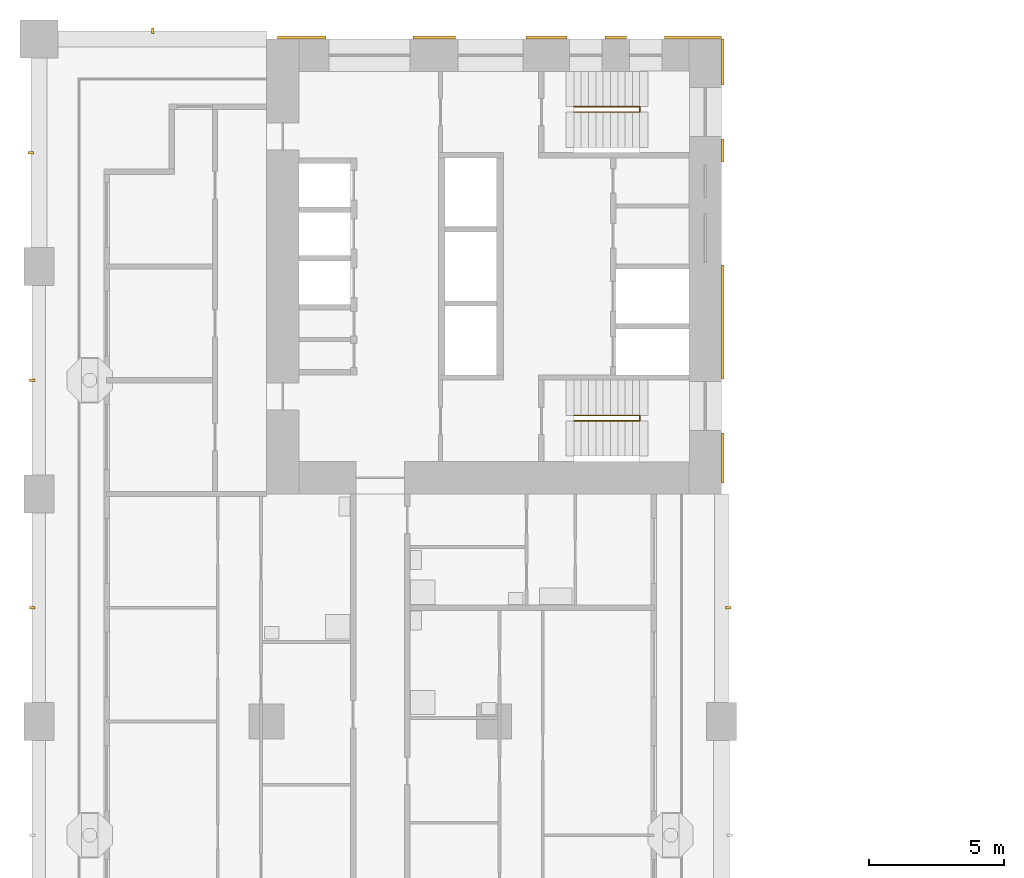
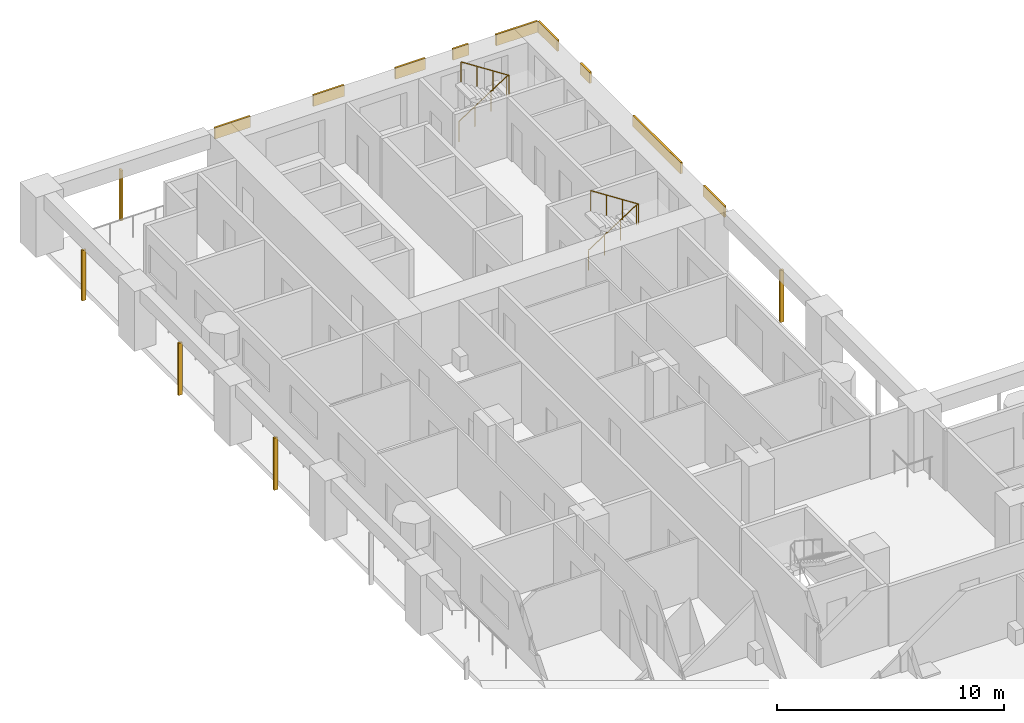
# One storey, part 15 of 20: 14 shading devices, 2 railings.
"""IFC4 building model written with IfcOpenShell, lengths in metres."""

import ifcopenshell
import ifcopenshell.guid

model = None  # the IFC model being written
_history = None  # IfcOwnerHistory: only IFC2X3 demands one
_inside = {}  # id of a spatial element -> (the spatial element, [elements in it])
_under = {}  # id of a project, library or spatial element -> (it, [spatial elements below it])
_declared = {}  # id of a project -> (the project, [libraries it declares])
_typed = {}  # id of a type object -> (the type object, [elements of that type])
_made_of = {}  # id of a material, layer set ... -> (it, [elements and type objects made of it])


def new_model(schema):
    """Start an empty IFC model of exactly this schema.

    Asked for "IFC4X3", IfcOpenShell would pick the latest addendum, in which some entities
    have other attributes; the version numbers below select the first issue.
    IFC2X3 requires an IfcOwnerHistory on every rooted entity: one is made here for all.
    """
    global model, _history
    if schema == "IFC4X3":
        model = ifcopenshell.file(schema_version=(4, 3, 0, 0))
    else:
        model = ifcopenshell.file(schema=schema)
    _inside.clear()
    _under.clear()
    _declared.clear()
    _typed.clear()
    _made_of.clear()
    _history = None
    if model.schema == "IFC2X3":
        org = make("IfcOrganization", Name="unknown")
        user = make(
            "IfcPersonAndOrganization",
            ThePerson=make("IfcPerson", FamilyName="unknown"),
            TheOrganization=org,
        )
        app = make(
            "IfcApplication",
            ApplicationDeveloper=org,
            Version="unknown",
            ApplicationFullName="unknown",
            ApplicationIdentifier="unknown",
        )
        _history = make(
            "IfcOwnerHistory",
            OwningUser=user,
            OwningApplication=app,
            ChangeAction="ADDED",
            CreationDate=0,
        )
    return model


def make(cls, **values):
    """One entity of the class cls with the attributes given. An attribute that is None is left unset."""
    return model.create_entity(
        cls, **{name: value for name, value in values.items() if value is not None}
    )


def rooted(cls, **values):
    """An entity with a GlobalId (a new one), such as an element, a storey or a relation."""
    return make(cls, GlobalId=ifcopenshell.guid.new(), OwnerHistory=_history, **values)


def si_unit(unit_type, name, prefix=None):
    """IfcSIUnit, for example si_unit("LENGTHUNIT", "METRE", prefix="MILLI")."""
    return make("IfcSIUnit", UnitType=unit_type, Prefix=prefix, Name=name)


def assignment(units):
    """IfcUnitAssignment: the units of a project."""
    return None if units is None else make("IfcUnitAssignment", Units=units)


def point(xyz):
    """IfcCartesianPoint."""
    return None if xyz is None else make("IfcCartesianPoint", Coordinates=xyz)


def direction(xyz):
    """IfcDirection."""
    return None if xyz is None else make("IfcDirection", DirectionRatios=xyz)


def frame(location, z_axis=None, x_axis=None):
    """IfcAxis2Placement3D, a coordinate frame: its origin and axes. An axis left out is left unset."""
    return make(
        "IfcAxis2Placement3D",
        Location=point(location),
        Axis=direction(z_axis),
        RefDirection=direction(x_axis),
    )


def frame_2d(location, x_axis=None):
    """IfcAxis2Placement2D, a coordinate frame in the plane: its origin and x axis."""
    return make(
        "IfcAxis2Placement2D", Location=point(location), RefDirection=direction(x_axis)
    )


def origin():
    """The frame at (0, 0, 0) with its axes left unset."""
    return frame((0.0, 0.0, 0.0))


def origin_2d():
    """The frame at (0, 0) in the plane with its x axis left unset."""
    return frame_2d((0.0, 0.0))


def place(relative_to, where):
    """IfcLocalPlacement: puts the frame where relative to a parent placement (None: the world)."""
    return make(
        "IfcLocalPlacement", PlacementRelTo=relative_to, RelativePlacement=where
    )


def context(
    kind, dimensions, precision=None, world=None, true_north=None, identifier=None
):
    """IfcGeometricRepresentationContext, for example the 3D "Model" context."""
    return make(
        "IfcGeometricRepresentationContext",
        ContextIdentifier=identifier,
        ContextType=kind,
        CoordinateSpaceDimension=dimensions,
        Precision=precision,
        WorldCoordinateSystem=world,
        TrueNorth=true_north,
    )


def subcontext(parent, identifier, kind, view, scale=None):
    """IfcGeometricRepresentationSubContext, for example "Body" below "Model"."""
    return make(
        "IfcGeometricRepresentationSubContext",
        ContextIdentifier=identifier,
        ContextType=kind,
        ParentContext=parent,
        TargetScale=scale,
        TargetView=view,
    )


def project(units=None, contexts=None):
    """IfcProject with its units and contexts."""
    return rooted(
        "IfcProject",
        Name="project",
        RepresentationContexts=contexts,
        UnitsInContext=assignment(units),
    )


def spatial(cls, under=None, at=None, **own):
    """A site, building, storey or space (cls), placed at a placement, below another one or the project."""
    s = rooted(cls, ObjectPlacement=at, **own)
    if under is not None:
        _under.setdefault(under.id(), (under, []))[1].append(s)
    return s


def profile(cls, at=None, kind="AREA", **sizes):
    """A parametric profile (cls). Its sizes go by their IFC names, for example OverallWidth=200.0."""
    return make(cls, ProfileType=kind, Position=at, **sizes)


def rectangle(**sizes):
    """IfcRectangleProfileDef."""
    return profile("IfcRectangleProfileDef", **sizes)


def circle(**sizes):
    """IfcCircleProfileDef."""
    return profile("IfcCircleProfileDef", **sizes)


def extrude(swept, where, along, depth):
    """IfcExtrudedAreaSolid: the profile swept, set in the frame where, extruded along a direction by depth."""
    return make(
        "IfcExtrudedAreaSolid",
        SweptArea=swept,
        Position=where,
        ExtrudedDirection=direction(along),
        Depth=depth,
    )


def shape(context_of_items, identifier, shape_type, items):
    """IfcShapeRepresentation: the items that make up one representation, for example the "Body"."""
    return make(
        "IfcShapeRepresentation",
        ContextOfItems=context_of_items,
        RepresentationIdentifier=identifier,
        RepresentationType=shape_type,
        Items=items,
    )


def material(Name=None, Category=None):
    """IfcMaterial."""
    return make("IfcMaterial", Name=Name, Category=Category)


def layer(
    of_material, thickness, ventilated=None, Name=None, Category=None, Priority=None
):
    """IfcMaterialLayer: one layer of a wall or slab, of a material (None: an air gap)."""
    return make(
        "IfcMaterialLayer",
        Material=of_material,
        LayerThickness=thickness,
        IsVentilated=ventilated,
        Name=Name,
        Category=Category,
        Priority=Priority,
    )


def layer_set(layers, Name=None):
    """IfcMaterialLayerSet."""
    return make("IfcMaterialLayerSet", MaterialLayers=layers, LayerSetName=Name)


def material_profile(
    of_material, cross_section, Name=None, Category=None, Priority=None
):
    """IfcMaterialProfile: a cross section and its material."""
    return make(
        "IfcMaterialProfile",
        Name=Name,
        Material=of_material,
        Profile=cross_section,
        Priority=Priority,
        Category=Category,
    )


def profile_set(profiles, Name=None, composite=None):
    """IfcMaterialProfileSet."""
    return make(
        "IfcMaterialProfileSet",
        Name=Name,
        MaterialProfiles=profiles,
        CompositeProfile=composite,
    )


def made_of(thing, what):
    """Note that an element or type object is made of a material, layer set ...; save() writes the relation."""
    if what is not None:
        _made_of.setdefault(what.id(), (what, []))[1].append(thing)
    return thing


def type_object(cls, material=None, **own):
    """A type object (cls), such as IfcWallType, which elements share."""
    return made_of(rooted(cls, **own), material)


def element(
    cls,
    number,
    at=None,
    inside=None,
    cuts=None,
    type_object=None,
    material=None,
    context=None,
    identifier="Body",
    shape_type=None,
    held_by="IfcProductDefinitionShape",
    body=None,
    shapes=None,
    **own,
):
    """One element of the class cls, such as IfcWall. Its Tag is "e" and its number.

    at: its placement. inside: the storey or other place that contains it. cuts: it is an
    opening in that element (IfcRelVoidsElement). A single representation is given by context,
    identifier, shape_type and body (its items); several are given by shapes. held_by: the class
    of the entity that holds the representations. save() writes the other relations.
    """
    e = rooted(cls, Tag="e%d" % number, ObjectPlacement=at, **own)
    if body is not None:
        shapes = [shape(context, identifier, shape_type, body)]
    if shapes is not None:
        e.Representation = make(held_by, Representations=shapes)
    if inside is not None:
        _inside.setdefault(inside.id(), (inside, []))[1].append(e)
    if cuts is not None:
        rooted(
            "IfcRelVoidsElement", RelatingBuildingElement=cuts, RelatedOpeningElement=e
        )
    if type_object is not None:
        _typed.setdefault(type_object.id(), (type_object, []))[1].append(e)
    return made_of(e, material)


def aggregate(whole, parts):
    """IfcRelAggregates: a whole, such as a stair, and the parts it consists of."""
    return rooted("IfcRelAggregates", RelatingObject=whole, RelatedObjects=parts)


def save(model, path):
    """Write the relations noted so far, then the file.

    IfcRelAggregates (storeys below a building ...), IfcRelContainedInSpatialStructure (elements
    in a storey), IfcRelDefinesByType, IfcRelAssociatesMaterial and IfcRelDeclares: one each for
    every whole, place, type object, material and project.
    """
    for whole, parts in _under.values():
        aggregate(whole, parts)
    for where, things in _inside.values():
        rooted(
            "IfcRelContainedInSpatialStructure",
            RelatedElements=things,
            RelatingStructure=where,
        )
    for kind, things in _typed.values():
        rooted("IfcRelDefinesByType", RelatedObjects=things, RelatingType=kind)
    for what, things in _made_of.values():
        rooted("IfcRelAssociatesMaterial", RelatedObjects=things, RelatingMaterial=what)
    for by, libraries in _declared.values():
        rooted("IfcRelDeclares", RelatingContext=by, RelatedDefinitions=libraries)
    model.write(path)


model = new_model("IFC4")

# Units and contexts
model_context = context("Model", 3, precision=1e-05, world=origin(), true_north=direction((0.0, 1.0)))
body_context = subcontext(model_context, "Body", "Model", "MODEL_VIEW")
ifc_project = project(units=[si_unit("LENGTHUNIT", "METRE"), si_unit("AREAUNIT", "SQUARE_METRE"), si_unit("VOLUMEUNIT", "CUBIC_METRE"), si_unit("PLANEANGLEUNIT", "RADIAN"), si_unit("MASSUNIT", "GRAM", prefix="KILO")], contexts=[model_context])

# Site, building, storey
site_placement = place(None, origin())
site = spatial("IfcSite", under=ifc_project, at=site_placement, CompositionType="ELEMENT")
building_placement = place(site_placement, origin())
building = spatial("IfcBuilding", under=site, at=building_placement, Name="Vermilion Gate Residences", CompositionType="ELEMENT")
storey_placement = place(building_placement, frame((0.0, 0.0, 39.199951171875)))
storey = spatial("IfcBuildingStorey", under=building, at=storey_placement, Name="L08", CompositionType="ELEMENT", Elevation=39.199951171875)

# Railings
ifc_material_1 = material(Name="Steel S355", Category="steel")
railing_type = type_object("IfcRailingType", Name="STAIR GUARD 1100 STEEL", PredefinedType="GUARDRAIL", material=ifc_material_1)
for number, where, name in (
    (1, (19.75, 56.300048828125, 0.175048828125), "Stair well guard STB1-08"),
    (2, (19.75, 44.89990234375, 0.175048828125), "Stair well guard STB2-08"),
):
    element("IfcRailing", number, at=place(storey_placement, frame(where)), inside=storey, type_object=railing_type, Name=name, PredefinedType="GUARDRAIL", context=body_context, shape_type="SweptSolid", body=[
        extrude(circle(Radius=0.02392578125, at=origin_2d()), frame((0.0, 0.0, 1.076171875), z_axis=(0.839153699163, 0.0, 0.543894354798), x_axis=(0.0, 1.0, 0.0)), (0.0, 0.0, 1.0), 2.895751953125),
        extrude(circle(Radius=0.02392578125, at=origin_2d()), frame((2.429931640625, 0.0, 2.65087890625), z_axis=(0.0, -0.752405939678, 0.658699705433), x_axis=(1.0, 0.0, 0.0)), (0.0, 0.0, 1.0), 0.265869140625),
        extrude(circle(Radius=0.02392578125, at=origin_2d()), frame((2.429931640625, -0.199951171875, 2.826171875), z_axis=(-0.839153699163, 0.0, 0.543894354798), x_axis=(0.0, -1.0, 0.0)), (0.0, 0.0, 1.0), 2.895751953125),
        extrude(circle(Radius=0.02099609375, at=origin_2d()), origin(), (0.0, 0.0, 1.0), 1.052001953125),
        extrude(circle(Radius=0.02099609375, at=origin_2d()), frame((0.81005859375, 0.0, 0.52490234375)), (0.0, 0.0, 1.0), 1.052001953125),
        extrude(circle(Radius=0.02099609375, at=origin_2d()), frame((1.619873046875, 0.0, 1.050048828125)), (0.0, 0.0, 1.0), 1.052001953125),
        extrude(circle(Radius=0.02099609375, at=origin_2d()), frame((2.429931640625, 0.0, 1.574951171875)), (0.0, 0.0, 1.0), 1.052001953125),
        extrude(circle(Radius=0.02099609375, at=origin_2d()), frame((2.429931640625, -0.199951171875, 1.75)), (0.0, 0.0, 1.0), 1.052001953125),
        extrude(circle(Radius=0.02099609375, at=origin_2d()), frame((1.619873046875, -0.199951171875, 2.27490234375)), (0.0, 0.0, 1.0), 1.052001953125),
        extrude(circle(Radius=0.02099609375, at=origin_2d()), frame((0.81005859375, -0.199951171875, 2.800048828125)), (0.0, 0.0, 1.0), 1.052001953125),
        extrude(circle(Radius=0.02099609375, at=origin_2d()), frame((0.0, -0.199951171875, 3.324951171875)), (0.0, 0.0, 1.0), 1.052001953125),
    ])

# Shading devices
ifc_material_2 = material(Name="Extruded terracotta", Category="masonry")
ifc_material_profile = material_profile(ifc_material_2, rectangle(XDim=0.199951171875, YDim=0.10009765625, at=origin_2d()), Name="BAGUETTE 100 X 200")
ifc_profile_set = profile_set([ifc_material_profile], Name="Extruded terracotta")
shading_device_type_1 = type_object("IfcShadingDeviceType", Name="TERRACOTTA BAGUETTE 100 X 200", PredefinedType="JALOUSIE", material=ifc_profile_set)
shading_device_1_placement = place(storey_placement, frame((25.449951171875, 37.800048828125, -0.280029296875), z_axis=(0.0, 0.0, 1.0), x_axis=(-1.0, 0.0, 0.0)))
element("IfcShadingDevice", 3, at=shading_device_1_placement, inside=storey, type_object=shading_device_type_1, Name="BAGUETTE", PredefinedType="JALOUSIE", context=body_context, shape_type="SweptSolid", body=[
    extrude(rectangle(XDim=0.199951171875, YDim=0.10009765625, at=origin_2d()), origin(), (0.0, 0.0, 1.0), 2.800048828125),
])
shading_device_2_placement = place(storey_placement, frame((4.199951171875, 59.10009765625, -0.280029296875), z_axis=(0.0, 0.0, 1.0), x_axis=(0.0, -1.0, 0.0)))
element("IfcShadingDevice", 4, at=shading_device_2_placement, inside=storey, type_object=shading_device_type_1, Name="BAGUETTE", PredefinedType="JALOUSIE", context=body_context, shape_type="SweptSolid", body=[
    extrude(rectangle(XDim=0.199951171875, YDim=0.10009765625, at=origin_2d()), origin(), (0.0, 0.0, 1.0), 2.7001953125),
])
for number, where, z_axis, x_axis, name in (
    (5, (-0.25, 37.800048828125, -0.280029296875), (0.0, 0.0, 1.0), (1.0, 0.0, 0.0), "BAGUETTE"),
    (6, (-0.25, 46.199951171875, -0.280029296875), (0.0, 0.0, 1.0), (1.0, 0.0, 0.0), "BAGUETTE"),
):
    element("IfcShadingDevice", number, at=place(storey_placement, frame(where, z_axis=z_axis, x_axis=x_axis)), inside=storey, type_object=shading_device_type_1, Name=name, PredefinedType="JALOUSIE", context=body_context, shape_type="SweptSolid", body=[
        extrude(rectangle(XDim=0.199951171875, YDim=0.10009765625, at=origin_2d()), origin(), (0.0, 0.0, 1.0), 2.800048828125),
    ])
shading_device_3_placement = place(storey_placement, frame((-0.300048828125, 54.60009765625, -0.280029296875), z_axis=(0.0, 0.0, 1.0), x_axis=(1.0, 0.0, 0.0)))
element("IfcShadingDevice", 7, at=shading_device_3_placement, inside=storey, type_object=shading_device_type_1, Name="BAGUETTE", PredefinedType="JALOUSIE", context=body_context, shape_type="SweptSolid", body=[
    extrude(rectangle(XDim=0.199951171875, YDim=0.10009765625, at=origin_2d()), origin(), (0.0, 0.0, 1.0), 2.7001953125),
])
ifc_material_3 = material(Name="Extruded terracotta", Category="masonry")
ifc_layer = layer(ifc_material_3, 0.10009765625)
ifc_layer_set = layer_set([ifc_layer], Name="TERRACOTTA SPANDREL BAND 600 X 100")
shading_device_type_2 = type_object("IfcShadingDeviceType", Name="TERRACOTTA SPANDREL BAND 600 X 100", PredefinedType="USERDEFINED", material=ifc_layer_set)
shading_device_4_placement = place(storey_placement, frame((9.702392578125, 58.85009765625, 2.6201171875), z_axis=(0.0, 0.0, 1.0), x_axis=(1.0, 0.0, 0.0)))
element("IfcShadingDevice", 8, at=shading_device_4_placement, inside=storey, type_object=shading_device_type_2, Name="SPANDREL BAND", ObjectType="BAND", PredefinedType="USERDEFINED", context=body_context, shape_type="SweptSolid", body=[
    extrude(rectangle(XDim=1.804931640625, YDim=0.10009765625, at=origin_2d()), origin(), (0.0, 0.0, 1.0), 0.60009765625),
])
shading_device_5_placement = place(storey_placement, frame((14.590087890625, 58.85009765625, 2.6201171875), z_axis=(0.0, 0.0, 1.0), x_axis=(1.0, 0.0, 0.0)))
element("IfcShadingDevice", 9, at=shading_device_5_placement, inside=storey, type_object=shading_device_type_2, Name="SPANDREL BAND", ObjectType="BAND", PredefinedType="USERDEFINED", context=body_context, shape_type="SweptSolid", body=[
    extrude(rectangle(XDim=1.570068359375, YDim=0.10009765625, at=origin_2d()), origin(), (0.0, 0.0, 1.0), 0.60009765625),
])
shading_device_6_placement = place(storey_placement, frame((18.734130859375, 58.85009765625, 2.6201171875), z_axis=(0.0, 0.0, 1.0), x_axis=(1.0, 0.0, 0.0)))
element("IfcShadingDevice", 10, at=shading_device_6_placement, inside=storey, type_object=shading_device_type_2, Name="SPANDREL BAND", ObjectType="BAND", PredefinedType="USERDEFINED", context=body_context, shape_type="SweptSolid", body=[
    extrude(rectangle(XDim=1.518310546875, YDim=0.10009765625, at=origin_2d()), origin(), (0.0, 0.0, 1.0), 0.60009765625),
])
shading_device_7_placement = place(storey_placement, frame((21.294921875, 58.85009765625, 2.6201171875), z_axis=(0.0, 0.0, 1.0), x_axis=(1.0, 0.0, 0.0)))
element("IfcShadingDevice", 11, at=shading_device_7_placement, inside=storey, type_object=shading_device_type_2, Name="SPANDREL BAND", ObjectType="BAND", PredefinedType="USERDEFINED", context=body_context, shape_type="SweptSolid", body=[
    extrude(rectangle(XDim=0.803466796875, YDim=0.10009765625, at=origin_2d()), origin(), (0.0, 0.0, 1.0), 0.60009765625),
])
shading_device_8_placement = place(storey_placement, frame((24.1484375, 58.85009765625, 2.6201171875), z_axis=(0.0, 0.0, 1.0), x_axis=(1.0, 0.0, 0.0)))
element("IfcShadingDevice", 12, at=shading_device_8_placement, inside=storey, type_object=shading_device_type_2, Name="SPANDREL BAND", ObjectType="BAND", PredefinedType="USERDEFINED", context=body_context, shape_type="SweptSolid", body=[
    extrude(rectangle(XDim=2.103271484375, YDim=0.10009765625, at=origin_2d()), origin(), (0.0, 0.0, 1.0), 0.60009765625),
])
shading_device_9_placement = place(storey_placement, frame((25.25, 43.324951171875, 2.6201171875), z_axis=(0.0, 0.0, 1.0), x_axis=(0.0, 1.0, 0.0)))
element("IfcShadingDevice", 13, at=shading_device_9_placement, inside=storey, type_object=shading_device_type_2, Name="SPANDREL BAND", ObjectType="BAND", PredefinedType="USERDEFINED", context=body_context, shape_type="SweptSolid", body=[
    extrude(rectangle(XDim=1.85009765625, YDim=0.10009765625, at=origin_2d()), origin(), (0.0, 0.0, 1.0), 0.60009765625),
])
shading_device_10_placement = place(storey_placement, frame((25.25, 48.35009765625, 2.6201171875), z_axis=(0.0, 0.0, 1.0), x_axis=(0.0, 1.0, 0.0)))
element("IfcShadingDevice", 14, at=shading_device_10_placement, inside=storey, type_object=shading_device_type_2, Name="SPANDREL BAND", ObjectType="BAND", PredefinedType="USERDEFINED", context=body_context, shape_type="SweptSolid", body=[
    extrude(rectangle(XDim=4.199951171875, YDim=0.10009765625, at=origin_2d()), origin(), (0.0, 0.0, 1.0), 0.60009765625),
])
shading_device_11_placement = place(storey_placement, frame((25.25, 54.67822265625, 2.6201171875), z_axis=(0.0, 0.0, 1.0), x_axis=(0.0, 1.0, 0.0)))
element("IfcShadingDevice", 15, at=shading_device_11_placement, inside=storey, type_object=shading_device_type_2, Name="SPANDREL BAND", ObjectType="BAND", PredefinedType="USERDEFINED", context=body_context, shape_type="SweptSolid", body=[
    extrude(rectangle(XDim=0.84375, YDim=0.10009765625, at=origin_2d()), origin(), (0.0, 0.0, 1.0), 0.60009765625),
])
shading_device_12_placement = place(storey_placement, frame((25.25, 57.949951171875, 2.6201171875), z_axis=(0.0, 0.0, 1.0), x_axis=(0.0, 1.0, 0.0)))
element("IfcShadingDevice", 16, at=shading_device_12_placement, inside=storey, type_object=shading_device_type_2, Name="SPANDREL BAND", ObjectType="BAND", PredefinedType="USERDEFINED", context=body_context, shape_type="SweptSolid", body=[
    extrude(rectangle(XDim=1.699951171875, YDim=0.10009765625, at=origin_2d()), origin(), (0.0, 0.0, 1.0), 0.60009765625),
])

save(model, "model.ifc")
